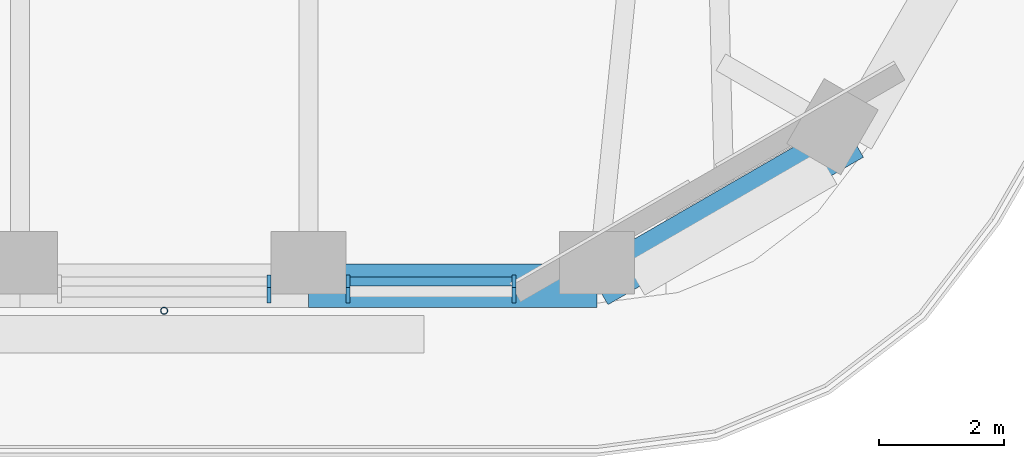
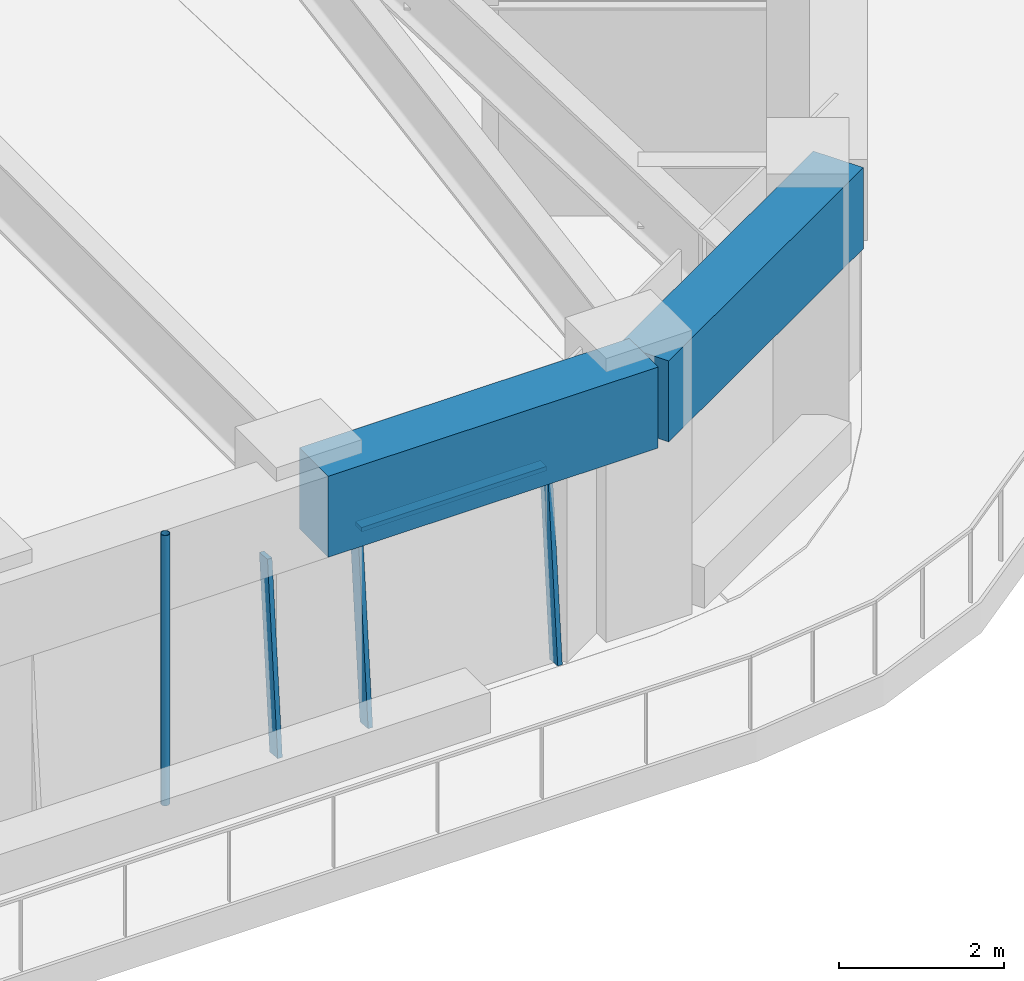
# One storey, part 4 of 20: 5 members, 2 beams, 2 elements without a shape of their own.
"""IFC4 building model written with IfcOpenShell, lengths in metres."""

from ifc_helpers import new_model, si_unit, direction, frame, origin, origin_2d, place, context, subcontext, project, spatial, rectangle, hollow_circle, extrude, material, material_profile, profile_set, type_object, element, aggregate, save


model = new_model("IFC4")

# Units and contexts
model_context = context("Model", 3, precision=1e-05, world=origin(), true_north=direction((0.0, 1.0)))
body_context = subcontext(model_context, "Body", "Model", "MODEL_VIEW")
ifc_project = project(units=[si_unit("LENGTHUNIT", "METRE"), si_unit("AREAUNIT", "SQUARE_METRE"), si_unit("VOLUMEUNIT", "CUBIC_METRE"), si_unit("PLANEANGLEUNIT", "RADIAN"), si_unit("MASSUNIT", "GRAM", prefix="KILO")], contexts=[model_context])

# Site, building, storey
site_placement = place(None, origin())
site = spatial("IfcSite", under=ifc_project, at=site_placement, CompositionType="ELEMENT")
building_placement = place(site_placement, origin())
building = spatial("IfcBuilding", under=site, at=building_placement, Name="Tarfa Lantern Tower", CompositionType="ELEMENT")
storey_placement = place(building_placement, frame((0.0, 0.0, 274.300048828125)))
storey = spatial("IfcBuildingStorey", under=building, at=storey_placement, Name="L62", CompositionType="ELEMENT", Elevation=274.300048828125)

# Curtain wall, member
ifc_material_1 = material(Name="Aluminium framed curtain wall", Category="aluminium")
curtain_wall_type = type_object("IfcCurtainWallType", Name="CW3 CANTED GLAZING HIGH ZONE 2800", PredefinedType="USERDEFINED", material=ifc_material_1)
curtain_wall_1_placement = place(storey_placement, origin())
curtain_wall_1 = element("IfcCurtainWall", 1, at=curtain_wall_1_placement, inside=storey, type_object=curtain_wall_type, Name="CW3 S L62", ObjectType="CURTAIN WALL", PredefinedType="USERDEFINED")
ifc_material_2 = material(Name="Aluminium mullion", Category="aluminium")
ifc_material_profile_1 = material_profile(ifc_material_2, rectangle(XDim=0.06494140625, YDim=0.199951171875, at=origin_2d()), Name="AL MULLION 65x200")
ifc_profile_set_1 = profile_set([ifc_material_profile_1], Name="Aluminium mullion")
member_type_1 = type_object("IfcMemberType", Name="CWM1 MULLION 65x200", PredefinedType="MULLION", material=ifc_profile_set_1)
member_1_placement = place(storey_placement, frame((8.605224609375, -28.89990234375, 0.0), z_axis=(0.0, 0.088930399417, 0.996037842685), x_axis=(-1.0, 0.0, 0.0)))
member_1 = element("IfcMember", 2, at=member_1_placement, type_object=member_type_1, Name="CW3 mullion 2", PredefinedType="MULLION", context=body_context, shape_type="SweptSolid", body=[
    extrude(rectangle(XDim=0.06494140625, YDim=0.199951171875, at=origin_2d()), origin(), (0.0, 0.0, 1.0), 2.811279296875),
])
aggregate(curtain_wall_1, [member_1])

# Curtain wall, members
curtain_wall_2_placement = place(storey_placement, origin())
curtain_wall_2 = element("IfcCurtainWall", 3, at=curtain_wall_2_placement, inside=storey, type_object=curtain_wall_type, Name="CW3 S L62", ObjectType="CURTAIN WALL", PredefinedType="USERDEFINED")
member_2_placement = place(storey_placement, frame((9.8701171875, -28.89990234375, 0.0), z_axis=(0.0, 0.088930399417, 0.996037842685), x_axis=(-1.0, 0.0, 0.0)))
member_2 = element("IfcMember", 4, at=member_2_placement, type_object=member_type_1, Name="CW3 mullion 1", PredefinedType="MULLION", context=body_context, shape_type="SweptSolid", body=[
    extrude(rectangle(XDim=0.06494140625, YDim=0.199951171875, at=origin_2d()), origin(), (0.0, 0.0, 1.0), 2.811279296875),
])
member_3_placement = place(storey_placement, frame((12.52392578125, -28.89990234375, 0.0), z_axis=(0.0, 0.088930399417, 0.996037842685), x_axis=(-1.0, 0.0, 0.0)))
member_3 = element("IfcMember", 5, at=member_3_placement, type_object=member_type_1, Name="CW3 mullion 2", PredefinedType="MULLION", context=body_context, shape_type="SweptSolid", body=[
    extrude(rectangle(XDim=0.06494140625, YDim=0.199951171875, at=origin_2d()), origin(), (0.0, 0.0, 1.0), 2.811279296875),
])
ifc_material_3 = material(Name="Aluminium transom", Category="aluminium")
ifc_material_profile_2 = material_profile(ifc_material_3, rectangle(XDim=0.14990234375, YDim=0.06494140625, at=origin_2d()), Name="AL TRANSOM 150x65")
ifc_profile_set_2 = profile_set([ifc_material_profile_2], Name="Aluminium transom")
member_type_2 = type_object("IfcMemberType", Name="CWT1 TRANSOM 150x65", PredefinedType="USERDEFINED", material=ifc_profile_set_2)
member_4_placement = place(storey_placement, frame((9.902587890625, -28.65283203125, 2.767333984375), z_axis=(1.0, 0.0, 0.0), x_axis=(0.0, 1.0, 0.0)))
member_4 = element("IfcMember", 6, at=member_4_placement, type_object=member_type_2, Name="CW3 transom 1.2", ObjectType="TRANSOM", PredefinedType="USERDEFINED", context=body_context, shape_type="SweptSolid", body=[
    extrude(rectangle(XDim=0.14990234375, YDim=0.06494140625, at=origin_2d()), origin(), (0.0, 0.0, 1.0), 2.5888671875),
])
aggregate(curtain_wall_2, [member_2, member_3, member_4])

# Beams
ifc_material_4 = material(Name="Concrete C80/95", Category="concrete")
ifc_material_profile_3 = material_profile(ifc_material_4, rectangle(XDim=0.699951171875, YDim=1.199951171875, at=origin_2d()), Name="RC 700x1200")
ifc_profile_set_3 = profile_set([ifc_material_profile_3], Name="Concrete C80/95")
beam_type = type_object("IfcBeamType", Name="EB3 RC 700x1200", PredefinedType="SPANDREL", material=ifc_profile_set_3)
beam_1_placement = place(storey_placement, frame((9.237548828125, -28.719970703125, 3.39990234375), z_axis=(1.0, 0.0, 0.0), x_axis=(0.0, 1.0, 0.0)))
element("IfcBeam", 7, at=beam_1_placement, inside=storey, type_object=beam_type, Name="Edge beam S5", PredefinedType="SPANDREL", context=body_context, shape_type="SweptSolid", body=[
    extrude(rectangle(XDim=0.699951171875, YDim=1.199951171875, at=origin_2d()), origin(), (0.0, 0.0, 1.0), 4.618896484375),
])
beam_2_placement = place(storey_placement, frame((13.8564453125, -28.719970703125, 3.39990234375), z_axis=(0.866038294681, 0.499977671647, 0.0), x_axis=(-0.499977671647, 0.866038294681, 0.0)))
element("IfcBeam", 8, at=beam_2_placement, inside=storey, type_object=beam_type, Name="Edge beam S6", PredefinedType="SPANDREL", context=body_context, shape_type="SweptSolid", body=[
    extrude(rectangle(XDim=0.699951171875, YDim=1.199951171875, at=origin_2d()), origin(), (0.0, 0.0, 1.0), 4.719970703125),
])

# Member
ifc_material_5 = material(Name="Steel S355", Category="steel")
ifc_material_profile_4 = material_profile(ifc_material_5, hollow_circle(Radius=0.05712890625, WallThickness=0.00634765625, at=origin_2d()), Name="CHS114.3x6.3")
ifc_profile_set_4 = profile_set([ifc_material_profile_4], Name="Steel S355")
member_type_3 = type_object("IfcMemberType", Name="TR1 GREEN WALL TRELLIS CHS114.3x6.3", PredefinedType="USERDEFINED", material=ifc_profile_set_4)
member_5_placement = place(storey_placement, frame((6.92822265625, -29.1201171875, 0.0), z_axis=(0.0, 0.0, 1.0), x_axis=(1.0, 0.0, 0.0)))
element("IfcMember", 9, at=member_5_placement, inside=storey, type_object=member_type_3, Name="Trellis post S 2", ObjectType="TRELLIS", PredefinedType="USERDEFINED", context=body_context, shape_type="SweptSolid", body=[
    extrude(hollow_circle(Radius=0.05712890625, WallThickness=0.00634765625, at=origin_2d()), origin(), (0.0, 0.0, 1.0), 4.0),
])

save(model, "model.ifc")
